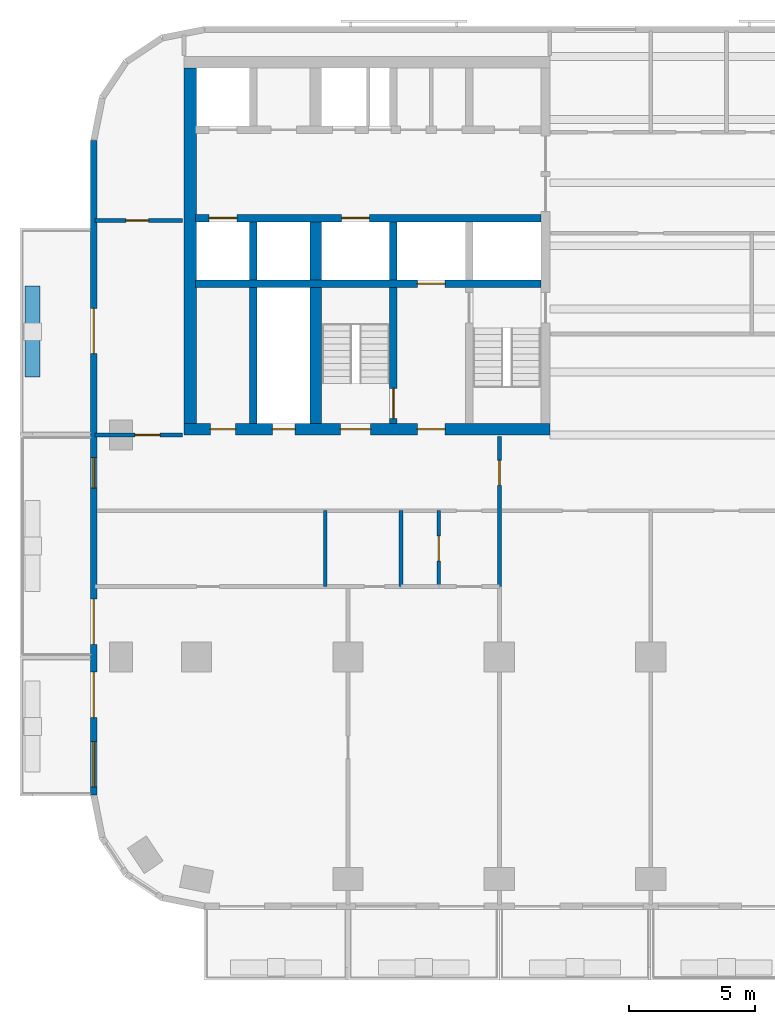
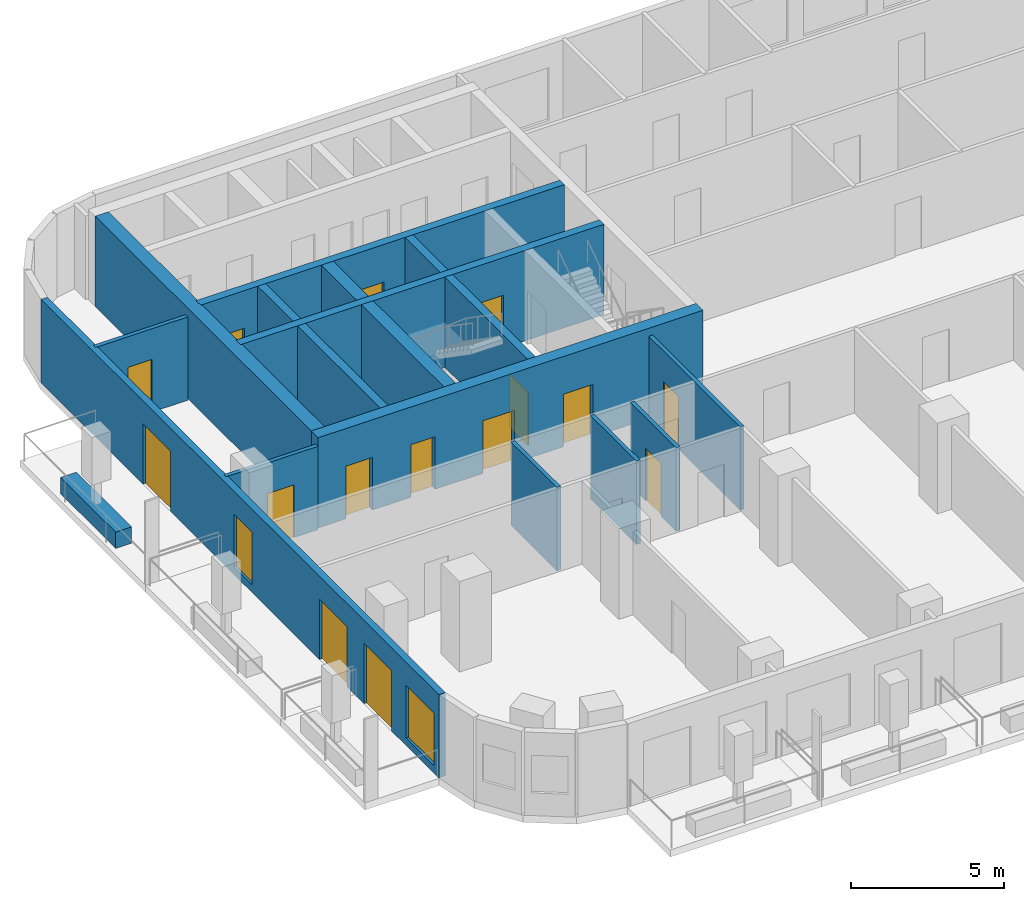
# One storey, part 3 of 11: 18 walls, 15 doors, 2 windows, 17 openings.
"""IFC4 building model written with IfcOpenShell, lengths in metres."""

from ifc_helpers import new_model, si_unit, direction, frame, frame_2d, origin, place, context, subcontext, project, spatial, rectangle, extrude, material, layer, layer_set, type_object, element, fill, save


model = new_model("IFC4")

# Units and contexts
model_context = context("Model", 3, precision=1e-05, world=origin(), true_north=direction((0.0, 1.0)))
body_context = subcontext(model_context, "Body", "Model", "MODEL_VIEW")
ifc_project = project(units=[si_unit("LENGTHUNIT", "METRE"), si_unit("AREAUNIT", "SQUARE_METRE"), si_unit("VOLUMEUNIT", "CUBIC_METRE"), si_unit("PLANEANGLEUNIT", "RADIAN"), si_unit("MASSUNIT", "GRAM", prefix="KILO")], contexts=[model_context])

# Site, building, storey
site_placement = place(None, origin())
site = spatial("IfcSite", under=ifc_project, at=site_placement, CompositionType="ELEMENT")
building_placement = place(site_placement, origin())
building = spatial("IfcBuilding", under=site, at=building_placement, Name="Torana Hotel and Residences", CompositionType="ELEMENT")
storey_placement = place(building_placement, frame((0.0, 0.0, 163.199951171875)))
storey = spatial("IfcBuildingStorey", under=building, at=storey_placement, Name="L42", CompositionType="ELEMENT", Elevation=163.199951171875)

# Wall, openings, doors
ifc_material_1 = material(Name="Concrete C70/85", Category="concrete")
ifc_layer_1 = layer(ifc_material_1, 0.300048828125)
ifc_layer_set_1 = layer_set([ifc_layer_1], Name="CORE WALL 300 C70/85")
wall_type_1 = type_object("IfcWallType", Name="CORE WALL 300 C70/85", PredefinedType="SHEAR", material=ifc_layer_set_1)
wall_1_placement = place(storey_placement, frame((-24.050048828125, -6.39990234375, 0.0), z_axis=(0.0, 0.0, 1.0), x_axis=(1.0, 0.0, 0.0)))
wall_1 = element("IfcWall", 1, at=wall_1_placement, inside=storey, type_object=wall_type_1, Name="Core wall W row-S", PredefinedType="SHEAR", context=body_context, shape_type="SweptSolid", body=[
    extrude(rectangle(XDim=13.699951171875, YDim=0.300048828125, at=frame_2d((6.85009765625, 0.0))), origin(), (0.0, 0.0, 1.0), 3.60009765625),
])
opening_1_placement = place(wall_1_placement, frame((0.550048828125, 0.0, 0.0)))
opening_1 = element("IfcOpeningElement", 2, at=opening_1_placement, cuts=wall_1, Name="Opening LD", PredefinedType="OPENING", context=body_context, shape_type="SweptSolid", body=[
    extrude(rectangle(XDim=1.10009765625, YDim=2.10009765625, at=frame_2d((0.550048828125, 1.050048828125))), frame((0.0, 0.159912109375, 0.0), z_axis=(0.0, -1.0, 0.0), x_axis=(1.0, 0.0, 0.0)), (0.0, 0.0, 1.0), 0.320068359375),
])
opening_2_placement = place(wall_1_placement, frame((5.800048828125, 0.0, 0.0)))
opening_2 = element("IfcOpeningElement", 3, at=opening_2_placement, cuts=wall_1, Name="Opening LD", PredefinedType="OPENING", context=body_context, shape_type="SweptSolid", body=[
    extrude(rectangle(XDim=1.10009765625, YDim=2.10009765625, at=frame_2d((0.550048828125, 1.050048828125))), frame((0.0, 0.159912109375, 0.0), z_axis=(0.0, -1.0, 0.0), x_axis=(1.0, 0.0, 0.0)), (0.0, 0.0, 1.0), 0.320068359375),
])
ifc_material_2 = material(Name="Stainless steel 316", Category="steel")
door_type_1 = type_object("IfcDoorType", Name="LIFT LANDING DOOR LD 1100x2100", OperationType="DOUBLE_DOOR_SLIDING", PredefinedType="USERDEFINED", material=ifc_material_2)
door_1_placement = place(opening_1_placement, origin())
door_1 = element("IfcDoor", 4, at=door_1_placement, inside=storey, type_object=door_type_1, Name="Lift landing door M2 L42", ObjectType="LIFT LANDING DOOR", OperationType="DOUBLE_DOOR_SLIDING", OverallHeight=2.10009765625, OverallWidth=1.10009765625, PredefinedType="USERDEFINED", context=body_context, shape_type="SweptSolid", body=[
    extrude(rectangle(XDim=1.10009765625, YDim=2.10009765625, at=frame_2d((0.550048828125, 1.050048828125))), frame((0.0, 0.02490234375, 0.0), z_axis=(0.0, -1.0, 0.0), x_axis=(1.0, 0.0, 0.0)), (0.0, 0.0, 1.0), 0.050048828125),
])
fill(opening_1, door_1)
door_2_placement = place(opening_2_placement, origin())
door_2 = element("IfcDoor", 5, at=door_2_placement, inside=storey, type_object=door_type_1, Name="Lift landing door SV1 L42", ObjectType="LIFT LANDING DOOR", OperationType="DOUBLE_DOOR_SLIDING", OverallHeight=2.10009765625, OverallWidth=1.10009765625, PredefinedType="USERDEFINED", context=body_context, shape_type="SweptSolid", body=[
    extrude(rectangle(XDim=1.10009765625, YDim=2.10009765625, at=frame_2d((0.550048828125, 1.050048828125))), frame((0.0, 0.02490234375, 0.0), z_axis=(0.0, -1.0, 0.0), x_axis=(1.0, 0.0, 0.0)), (0.0, 0.0, 1.0), 0.050048828125),
])
fill(opening_2, door_2)

# Wall, opening, door
wall_2_placement = place(storey_placement, frame((-24.050048828125, -9.0, 0.0), z_axis=(0.0, 0.0, 1.0), x_axis=(1.0, 0.0, 0.0)))
wall_2 = element("IfcWall", 6, at=wall_2_placement, inside=storey, type_object=wall_type_1, Name="Core wall W band", PredefinedType="SHEAR", context=body_context, shape_type="SweptSolid", body=[
    extrude(rectangle(XDim=13.699951171875, YDim=0.300048828125, at=frame_2d((6.85009765625, 0.0))), origin(), (0.0, 0.0, 1.0), 3.60009765625),
])
opening_3_placement = place(wall_2_placement, frame((8.800048828125, 0.0, 0.0)))
opening_3 = element("IfcOpeningElement", 7, at=opening_3_placement, cuts=wall_2, Name="Opening LD", PredefinedType="OPENING", context=body_context, shape_type="SweptSolid", body=[
    extrude(rectangle(XDim=1.10009765625, YDim=2.10009765625, at=frame_2d((0.550048828125, 1.050048828125))), frame((0.0, 0.159912109375, 0.0), z_axis=(0.0, -1.0, 0.0), x_axis=(1.0, 0.0, 0.0)), (0.0, 0.0, 1.0), 0.320068359375),
])
door_3_placement = place(opening_3_placement, origin())
door_3 = element("IfcDoor", 8, at=door_3_placement, inside=storey, type_object=door_type_1, Name="Lift landing door FF1 L42", ObjectType="LIFT LANDING DOOR", OperationType="DOUBLE_DOOR_SLIDING", OverallHeight=2.10009765625, OverallWidth=1.10009765625, PredefinedType="USERDEFINED", context=body_context, shape_type="SweptSolid", body=[
    extrude(rectangle(XDim=1.10009765625, YDim=2.10009765625, at=frame_2d((0.550048828125, 1.050048828125))), frame((0.0, 0.02490234375, 0.0), z_axis=(0.0, -1.0, 0.0), x_axis=(1.0, 0.0, 0.0)), (0.0, 0.0, 1.0), 0.050048828125),
])
fill(opening_3, door_3)

# Wall
wall_3_placement = place(storey_placement, frame((-16.199951171875, -8.85009765625, 0.0), z_axis=(0.0, 0.0, 1.0), x_axis=(0.0, 1.0, 0.0)))
element("IfcWall", 9, at=wall_3_placement, inside=storey, type_object=wall_type_1, Name="Core wall W x6.05-S", PredefinedType="SHEAR", context=body_context, shape_type="SweptSolid", body=[
    extrude(rectangle(XDim=2.300048828125, YDim=0.300048828125, at=frame_2d((1.14990234375, 0.0))), origin(), (0.0, 0.0, 1.0), 3.60009765625),
])

# Wall, opening, door
wall_4_placement = place(storey_placement, frame((-16.199951171875, -14.550048828125, 0.0), z_axis=(0.0, 0.0, 1.0), x_axis=(0.0, 1.0, 0.0)))
wall_4 = element("IfcWall", 10, at=wall_4_placement, inside=storey, type_object=wall_type_1, Name="Core wall W x6.05-band", PredefinedType="SHEAR", context=body_context, shape_type="SweptSolid", body=[
    extrude(rectangle(XDim=5.400146484375, YDim=0.300048828125, at=frame_2d((2.7001953125, 0.0))), origin(), (0.0, 0.0, 1.0), 3.60009765625),
])
opening_4_placement = place(wall_4_placement, frame((0.199951171875, 0.0, 0.0)))
opening_4 = element("IfcOpeningElement", 11, at=opening_4_placement, cuts=wall_4, Name="Opening L42-15", PredefinedType="OPENING", context=body_context, shape_type="SweptSolid", body=[
    extrude(rectangle(XDim=1.199951171875, YDim=2.10009765625, at=frame_2d((0.60009765625, 1.050048828125))), frame((0.0, 0.159912109375, 0.0), z_axis=(0.0, -1.0, 0.0), x_axis=(1.0, 0.0, 0.0)), (0.0, 0.0, 1.0), 0.320068359375),
])
ifc_material_3 = material(Name="Steel S235", Category="steel")
door_type_2 = type_object("IfcDoorType", Name="STAIR FIRE DOOR D3 1200x2100", OperationType="SINGLE_SWING_LEFT", PredefinedType="DOOR", material=ifc_material_3)
door_4_placement = place(opening_4_placement, origin())
door_4 = element("IfcDoor", 12, at=door_4_placement, inside=storey, type_object=door_type_2, Name="Stair-B-lobby door L42", OperationType="SINGLE_SWING_RIGHT", OverallHeight=2.10009765625, OverallWidth=1.199951171875, PredefinedType="DOOR", context=body_context, shape_type="SweptSolid", body=[
    extrude(rectangle(XDim=1.199951171875, YDim=2.10009765625, at=frame_2d((0.60009765625, 1.050048828125))), frame((0.0, 0.02490234375, 0.0), z_axis=(0.0, -1.0, 0.0), x_axis=(1.0, 0.0, 0.0)), (0.0, 0.0, 1.0), 0.050048828125),
])
fill(opening_4, door_4)

# Walls
wall_5_placement = place(storey_placement, frame((-21.75, -8.85009765625, 0.0), z_axis=(0.0, 0.0, 1.0), x_axis=(0.0, 1.0, 0.0)))
element("IfcWall", 13, at=wall_5_placement, inside=storey, type_object=wall_type_1, Name="Core wall W mm-S", PredefinedType="SHEAR", context=body_context, shape_type="SweptSolid", body=[
    extrude(rectangle(XDim=2.300048828125, YDim=0.300048828125, at=frame_2d((1.14990234375, 0.0))), origin(), (0.0, 0.0, 1.0), 3.60009765625),
])
wall_6_placement = place(storey_placement, frame((-21.75, -14.550048828125, 0.0), z_axis=(0.0, 0.0, 1.0), x_axis=(0.0, 1.0, 0.0)))
element("IfcWall", 14, at=wall_6_placement, inside=storey, type_object=wall_type_1, Name="Core wall W mm-band", PredefinedType="SHEAR", context=body_context, shape_type="SweptSolid", body=[
    extrude(rectangle(XDim=5.400146484375, YDim=0.300048828125, at=frame_2d((2.7001953125, 0.0))), origin(), (0.0, 0.0, 1.0), 3.60009765625),
])

# Wall, openings, doors
ifc_material_4 = material(Name="Concrete C70/85", Category="concrete")
ifc_layer_2 = layer(ifc_material_4, 0.449951171875)
ifc_layer_set_2 = layer_set([ifc_layer_2], Name="CORE WALL 450 C70/85")
wall_type_2 = type_object("IfcWallType", Name="CORE WALL 450 C70/85", PredefinedType="SHEAR", material=ifc_layer_set_2)
wall_7_placement = place(storey_placement, frame((-24.5, -14.77490234375, 0.0), z_axis=(0.0, 0.0, 1.0), x_axis=(1.0, 0.0, 0.0)))
wall_7 = element("IfcWall", 15, at=wall_7_placement, inside=storey, type_object=wall_type_2, Name="Core wall W front", PredefinedType="SHEAR", context=body_context, shape_type="SweptSolid", body=[
    extrude(rectangle(XDim=14.5, YDim=0.449951171875, at=frame_2d((7.25, 0.0))), origin(), (0.0, 0.0, 1.0), 3.60009765625),
])
opening_5_placement = place(wall_7_placement, frame((6.199951171875, 0.0, 0.0)))
opening_5 = element("IfcOpeningElement", 16, at=opening_5_placement, cuts=wall_7, Name="Opening L42-04", PredefinedType="OPENING", context=body_context, shape_type="SweptSolid", body=[
    extrude(rectangle(XDim=1.199951171875, YDim=2.10009765625, at=frame_2d((0.60009765625, 1.050048828125))), frame((0.0, 0.23486328125, 0.0), z_axis=(0.0, -1.0, 0.0), x_axis=(1.0, 0.0, 0.0)), (0.0, 0.0, 1.0), 0.469970703125),
])
opening_6_placement = place(wall_7_placement, frame((9.25, 0.0, 0.0)))
opening_6 = element("IfcOpeningElement", 17, at=opening_6_placement, cuts=wall_7, Name="Opening L42-05", PredefinedType="OPENING", context=body_context, shape_type="SweptSolid", body=[
    extrude(rectangle(XDim=1.10009765625, YDim=2.10009765625, at=frame_2d((0.550048828125, 1.050048828125))), frame((0.0, 0.23486328125, 0.0), z_axis=(0.0, -1.0, 0.0), x_axis=(1.0, 0.0, 0.0)), (0.0, 0.0, 1.0), 0.469970703125),
])
opening_7_placement = place(wall_7_placement, frame((3.5, 0.0, 0.0)))
opening_7 = element("IfcOpeningElement", 18, at=opening_7_placement, cuts=wall_7, Name="Opening L42-06", PredefinedType="OPENING", context=body_context, shape_type="SweptSolid", body=[
    extrude(rectangle(XDim=0.89990234375, YDim=2.10009765625, at=frame_2d((0.449951171875, 1.050048828125))), frame((0.0, 0.23486328125, 0.0), z_axis=(0.0, -1.0, 0.0), x_axis=(1.0, 0.0, 0.0)), (0.0, 0.0, 1.0), 0.469970703125),
])
opening_8_placement = place(wall_7_placement, frame((1.050048828125, 0.0, 0.0)))
opening_8 = element("IfcOpeningElement", 19, at=opening_8_placement, cuts=wall_7, Name="Opening L42-07", PredefinedType="OPENING", context=body_context, shape_type="SweptSolid", body=[
    extrude(rectangle(XDim=1.0, YDim=2.10009765625, at=frame_2d((0.5, 1.050048828125))), frame((0.0, 0.23486328125, 0.0), z_axis=(0.0, -1.0, 0.0), x_axis=(1.0, 0.0, 0.0)), (0.0, 0.0, 1.0), 0.469970703125),
])
ifc_material_5 = material(Name="Steel S235", Category="steel")
door_type_3 = type_object("IfcDoorType", Name="CORE ROOM FIRE DOOR D14 1000x2100", OperationType="SINGLE_SWING_LEFT", PredefinedType="DOOR", material=ifc_material_5)
door_5_placement = place(opening_8_placement, origin())
door_5 = element("IfcDoor", 20, at=door_5_placement, inside=storey, type_object=door_type_3, Name="M-Room door L42", OperationType="SINGLE_SWING_RIGHT", OverallHeight=2.10009765625, OverallWidth=1.0, PredefinedType="DOOR", context=body_context, shape_type="SweptSolid", body=[
    extrude(rectangle(XDim=1.0, YDim=2.10009765625, at=frame_2d((0.5, 1.050048828125))), frame((0.0, 0.02490234375, 0.0), z_axis=(0.0, -1.0, 0.0), x_axis=(1.0, 0.0, 0.0)), (0.0, 0.0, 1.0), 0.050048828125),
])
fill(opening_8, door_5)
ifc_material_6 = material(Name="Steel S235", Category="steel")
door_type_4 = type_object("IfcDoorType", Name="FIRE-FIGHTING LOBBY DOOR D8 1100x2100", OperationType="SINGLE_SWING_LEFT", PredefinedType="DOOR", material=ifc_material_6)
door_6_placement = place(opening_6_placement, origin())
door_6 = element("IfcDoor", 21, at=door_6_placement, inside=storey, type_object=door_type_4, Name="FF-lobby door L42", OperationType="SINGLE_SWING_RIGHT", OverallHeight=2.10009765625, OverallWidth=1.10009765625, PredefinedType="DOOR", context=body_context, shape_type="SweptSolid", body=[
    extrude(rectangle(XDim=1.10009765625, YDim=2.10009765625, at=frame_2d((0.550048828125, 1.050048828125))), frame((0.0, 0.02490234375, 0.0), z_axis=(0.0, -1.0, 0.0), x_axis=(1.0, 0.0, 0.0)), (0.0, 0.0, 1.0), 0.050048828125),
])
fill(opening_6, door_6)
ifc_material_7 = material(Name="Steel S235", Category="steel")
door_type_5 = type_object("IfcDoorType", Name="RISER ACCESS DOOR D5 900x2100", OperationType="SINGLE_SWING_LEFT", PredefinedType="DOOR", material=ifc_material_7)
door_7_placement = place(opening_7_placement, origin())
door_7 = element("IfcDoor", 22, at=door_7_placement, inside=storey, type_object=door_type_5, Name="M-Riser door L42", OperationType="SINGLE_SWING_RIGHT", OverallHeight=2.10009765625, OverallWidth=0.89990234375, PredefinedType="DOOR", context=body_context, shape_type="SweptSolid", body=[
    extrude(rectangle(XDim=0.89990234375, YDim=2.10009765625, at=frame_2d((0.449951171875, 1.050048828125))), frame((0.0, 0.02490234375, 0.0), z_axis=(0.0, -1.0, 0.0), x_axis=(1.0, 0.0, 0.0)), (0.0, 0.0, 1.0), 0.050048828125),
])
fill(opening_7, door_7)
door_8_placement = place(opening_5_placement, origin())
door_8 = element("IfcDoor", 23, at=door_8_placement, inside=storey, type_object=door_type_2, Name="Stair-B door L42", OperationType="SINGLE_SWING_RIGHT", OverallHeight=2.10009765625, OverallWidth=1.199951171875, PredefinedType="DOOR", context=body_context, shape_type="SweptSolid", body=[
    extrude(rectangle(XDim=1.199951171875, YDim=2.10009765625, at=frame_2d((0.60009765625, 1.050048828125))), frame((0.0, 0.02490234375, 0.0), z_axis=(0.0, -1.0, 0.0), x_axis=(1.0, 0.0, 0.0)), (0.0, 0.0, 1.0), 0.050048828125),
])
fill(opening_5, door_8)

# Walls
wall_8_placement = place(storey_placement, frame((-19.27490234375, -8.85009765625, 0.0), z_axis=(0.0, 0.0, 1.0), x_axis=(0.0, 1.0, 0.0)))
element("IfcWall", 24, at=wall_8_placement, inside=storey, type_object=wall_type_2, Name="Core wall W hm-S", PredefinedType="SHEAR", context=body_context, shape_type="SweptSolid", body=[
    extrude(rectangle(XDim=2.300048828125, YDim=0.449951171875, at=frame_2d((1.14990234375, 0.0))), origin(), (0.0, 0.0, 1.0), 3.60009765625),
])
wall_9_placement = place(storey_placement, frame((-19.27490234375, -14.550048828125, 0.0), z_axis=(0.0, 0.0, 1.0), x_axis=(0.0, 1.0, 0.0)))
element("IfcWall", 25, at=wall_9_placement, inside=storey, type_object=wall_type_2, Name="Core wall W hm-band", PredefinedType="SHEAR", context=body_context, shape_type="SweptSolid", body=[
    extrude(rectangle(XDim=5.400146484375, YDim=0.449951171875, at=frame_2d((2.7001953125, 0.0))), origin(), (0.0, 0.0, 1.0), 3.60009765625),
])
ifc_material_8 = material(Name="Concrete C70/85", Category="concrete")
ifc_layer_3 = layer(ifc_material_8, 0.5)
ifc_layer_set_3 = layer_set([ifc_layer_3], Name="CORE WALL 500 C70/85")
wall_type_3 = type_object("IfcWallType", Name="CORE WALL 500 C70/85", PredefinedType="SHEAR", material=ifc_layer_set_3)
wall_10_placement = place(storey_placement, frame((-24.25, -14.550048828125, 0.0), z_axis=(0.0, 0.0, 1.0), x_axis=(0.0, 1.0, 0.0)))
element("IfcWall", 26, at=wall_10_placement, inside=storey, type_object=wall_type_3, Name="Core wall W outer", PredefinedType="SHEAR", context=body_context, shape_type="SweptSolid", body=[
    extrude(rectangle(XDim=14.10009765625, YDim=0.5, at=frame_2d((7.050048828125, 0.0))), origin(), (0.0, 0.0, 1.0), 3.60009765625),
])

# Wall, openings, doors, windows
ifc_material_9 = material(Name="Black aluminium composite panel", Category="aluminium")
ifc_layer_4 = layer(ifc_material_9, 0.00390625, Name="Cladding", Category="cladding")
ifc_material_10 = material(Name="Ventilated air cavity")
ifc_layer_5 = layer(ifc_material_10, 0.0400390625, Name="Ventilated cavity", Category="cavity")
ifc_material_11 = material(Name="Mineral wool insulation")
ifc_layer_6 = layer(ifc_material_11, 0.090087890625, Name="Insulation", Category="insulation")
ifc_material_12 = material(Name="Steel S280GD", Category="steel")
ifc_layer_7 = layer(ifc_material_12, 0.092041015625, Name="Steel stud frame", Category="structure")
ifc_material_13 = material(Name="Fire rated plasterboard")
ifc_layer_8 = layer(ifc_material_13, 0.011962890625, Name="Inner board", Category="finish")
ifc_layer_9 = layer(ifc_material_13, 0.011962890625, Name="Second board", Category="finish")
ifc_layer_set_4 = layer_set([ifc_layer_4, ifc_layer_5, ifc_layer_6, ifc_layer_7, ifc_layer_8, ifc_layer_9], Name="EW1 EXTERNAL WALL BLACK METAL CLAD 250")
wall_type_4 = type_object("IfcWallType", Name="EW1 EXTERNAL WALL BLACK METAL CLAD 250", PredefinedType="SOLIDWALL", material=ifc_layer_set_4)
wall_11_placement = place(storey_placement, frame((-28.074951171875, -3.32470703125, 0.0), z_axis=(0.0, 0.0, 1.0), x_axis=(0.0, -1.0, 0.0)))
wall_11 = element("IfcWall", 27, at=wall_11_placement, inside=storey, type_object=wall_type_4, Name="External wall L42 e0.9", PredefinedType="SOLIDWALL", context=body_context, shape_type="SweptSolid", body=[
    extrude(rectangle(XDim=25.95068359375, YDim=0.25, at=frame_2d((12.975341796875, 0.0))), origin(), (0.0, 0.0, 1.0), 3.320068359375),
])
opening_9_placement = place(wall_11_placement, frame((6.650390625, 0.0, 0.0)))
opening_9 = element("IfcOpeningElement", 28, at=opening_9_placement, cuts=wall_11, Name="Opening L42-E12", PredefinedType="OPENING", context=body_context, shape_type="SweptSolid", body=[
    extrude(rectangle(XDim=1.800048828125, YDim=2.39990234375, at=frame_2d((0.89990234375, 1.199951171875))), frame((0.0, 0.135009765625, 0.0), z_axis=(0.0, -1.0, 0.0), x_axis=(1.0, 0.0, 0.0)), (0.0, 0.0, 1.0), 0.27001953125),
])
opening_10_placement = place(wall_11_placement, frame((12.575439453125, 0.0, 0.300048828125)))
opening_10 = element("IfcOpeningElement", 29, at=opening_10_placement, cuts=wall_11, Name="Opening W7", PredefinedType="OPENING", context=body_context, shape_type="SweptSolid", body=[
    extrude(rectangle(XDim=1.199951171875, YDim=2.10009765625, at=frame_2d((0.60009765625, 1.050048828125))), frame((0.0, 0.135009765625, 0.0), z_axis=(0.0, -1.0, 0.0), x_axis=(1.0, 0.0, 0.0)), (0.0, 0.0, 1.0), 0.27001953125),
])
opening_11_placement = place(wall_11_placement, frame((18.17529296875, 0.0, 0.0)))
opening_11 = element("IfcOpeningElement", 30, at=opening_11_placement, cuts=wall_11, Name="Opening L42-E13", PredefinedType="OPENING", context=body_context, shape_type="SweptSolid", body=[
    extrude(rectangle(XDim=1.800048828125, YDim=2.39990234375, at=frame_2d((0.89990234375, 1.199951171875))), frame((0.0, 0.135009765625, 0.0), z_axis=(0.0, -1.0, 0.0), x_axis=(1.0, 0.0, 0.0)), (0.0, 0.0, 1.0), 0.27001953125),
])
opening_12_placement = place(wall_11_placement, frame((21.075439453125, 0.0, 0.0)))
opening_12 = element("IfcOpeningElement", 31, at=opening_12_placement, cuts=wall_11, Name="Opening L42-E14", PredefinedType="OPENING", context=body_context, shape_type="SweptSolid", body=[
    extrude(rectangle(XDim=1.800048828125, YDim=2.39990234375, at=frame_2d((0.89990234375, 1.199951171875))), frame((0.0, 0.135009765625, 0.0), z_axis=(0.0, -1.0, 0.0), x_axis=(1.0, 0.0, 0.0)), (0.0, 0.0, 1.0), 0.27001953125),
])
opening_13_placement = place(wall_11_placement, frame((23.825439453125, 0.0, 0.300048828125)))
opening_13 = element("IfcOpeningElement", 32, at=opening_13_placement, cuts=wall_11, Name="Opening W2", PredefinedType="OPENING", context=body_context, shape_type="SweptSolid", body=[
    extrude(rectangle(XDim=1.800048828125, YDim=2.10009765625, at=frame_2d((0.89990234375, 1.050048828125))), frame((0.0, 0.135009765625, 0.0), z_axis=(0.0, -1.0, 0.0), x_axis=(1.0, 0.0, 0.0)), (0.0, 0.0, 1.0), 0.27001953125),
])
ifc_material_14 = material(Name="Dark glass in black aluminium frame", Category="aluminium")
door_type_6 = type_object("IfcDoorType", Name="DB1 BALCONY DOOR 1800x2400", OperationType="DOUBLE_DOOR_SINGLE_SWING", PredefinedType="DOOR", material=ifc_material_14)
door_9_placement = place(opening_9_placement, origin())
door_9 = element("IfcDoor", 33, at=door_9_placement, inside=storey, type_object=door_type_6, Name="Balcony door L42", OperationType="DOUBLE_DOOR_SINGLE_SWING", OverallHeight=2.39990234375, OverallWidth=1.800048828125, PredefinedType="DOOR", context=body_context, shape_type="SweptSolid", body=[
    extrude(rectangle(XDim=1.800048828125, YDim=2.39990234375, at=frame_2d((0.89990234375, 1.199951171875))), frame((0.0, 0.02490234375, 0.0), z_axis=(0.0, -1.0, 0.0), x_axis=(1.0, 0.0, 0.0)), (0.0, 0.0, 1.0), 0.050048828125),
])
fill(opening_9, door_9)
door_10_placement = place(opening_11_placement, frame((0.89990234375, 0.0, 0.0), z_axis=(0.0, 0.0, 1.0), x_axis=(-1.0, 0.0, 0.0)))
door_10 = element("IfcDoor", 34, at=door_10_placement, inside=storey, type_object=door_type_6, Name="Balcony door L42", OperationType="DOUBLE_DOOR_SINGLE_SWING", OverallHeight=2.39990234375, OverallWidth=1.800048828125, PredefinedType="DOOR", context=body_context, shape_type="SweptSolid", body=[
    extrude(rectangle(XDim=1.800048828125, YDim=2.39990234375, at=frame_2d((0.0, 1.199951171875))), frame((0.0, -0.02490234375, 0.0), z_axis=(0.0, 1.0, 0.0), x_axis=(-1.0, 0.0, 0.0)), (0.0, 0.0, 1.0), 0.050048828125),
])
fill(opening_11, door_10)
door_11_placement = place(opening_12_placement, origin())
door_11 = element("IfcDoor", 35, at=door_11_placement, inside=storey, type_object=door_type_6, Name="Balcony door L42", OperationType="DOUBLE_DOOR_SINGLE_SWING", OverallHeight=2.39990234375, OverallWidth=1.800048828125, PredefinedType="DOOR", context=body_context, shape_type="SweptSolid", body=[
    extrude(rectangle(XDim=1.800048828125, YDim=2.39990234375, at=frame_2d((0.89990234375, 1.199951171875))), frame((0.0, 0.02490234375, 0.0), z_axis=(0.0, -1.0, 0.0), x_axis=(1.0, 0.0, 0.0)), (0.0, 0.0, 1.0), 0.050048828125),
])
fill(opening_12, door_11)
ifc_material_15 = material(Name="Dark glass in black aluminium frame", Category="aluminium")
window_type_1 = type_object("IfcWindowType", Name="W2 HOTEL ROOM WINDOW NARROW 1800x2100", PartitioningType="SINGLE_PANEL", PredefinedType="WINDOW", material=ifc_material_15)
window_1_placement = place(opening_13_placement, origin())
window_1 = element("IfcWindow", 36, at=window_1_placement, inside=storey, type_object=window_type_1, Name="Window L42", OverallHeight=2.10009765625, OverallWidth=1.800048828125, PartitioningType="SINGLE_PANEL", PredefinedType="WINDOW", context=body_context, shape_type="SweptSolid", body=[
    extrude(rectangle(XDim=1.800048828125, YDim=2.10009765625, at=frame_2d((0.89990234375, 1.050048828125))), frame((0.0, 0.030029296875, 0.0), z_axis=(0.0, -1.0, 0.0), x_axis=(1.0, 0.0, 0.0)), (0.0, 0.0, 1.0), 0.06005859375),
])
fill(opening_13, window_1)
ifc_material_16 = material(Name="Dark glass in black aluminium frame", Category="aluminium")
window_type_2 = type_object("IfcWindowType", Name="W7 HOTEL CORRIDOR WINDOW 1200x2100", PartitioningType="SINGLE_PANEL", PredefinedType="WINDOW", material=ifc_material_16)
window_2_placement = place(opening_10_placement, origin())
window_2 = element("IfcWindow", 37, at=window_2_placement, inside=storey, type_object=window_type_2, Name="Window L42", OverallHeight=2.10009765625, OverallWidth=1.199951171875, PartitioningType="SINGLE_PANEL", PredefinedType="WINDOW", context=body_context, shape_type="SweptSolid", body=[
    extrude(rectangle(XDim=1.199951171875, YDim=2.10009765625, at=frame_2d((0.60009765625, 1.050048828125))), frame((0.0, 0.030029296875, 0.0), z_axis=(0.0, -1.0, 0.0), x_axis=(1.0, 0.0, 0.0)), (0.0, 0.0, 1.0), 0.06005859375),
])
fill(opening_10, window_2)

# Wall, opening, door
ifc_material_17 = material(Name="Gypsum plaster")
ifc_layer_10 = layer(ifc_material_17, 0.014892578125, Name="Plaster", Category="finish")
ifc_material_18 = material(Name="Concrete blockwork", Category="masonry")
ifc_layer_11 = layer(ifc_material_18, 0.1201171875, Name="Blockwork", Category="structure")
ifc_layer_12 = layer(ifc_material_17, 0.014892578125, Name="Plaster", Category="finish")
ifc_layer_set_5 = layer_set([ifc_layer_10, ifc_layer_11, ifc_layer_12], Name="FIRE PARTITION 150 BLOCKWORK")
wall_type_5 = type_object("IfcWallType", Name="FIRE PARTITION 150 BLOCKWORK", PredefinedType="PARTITIONING", material=ifc_layer_set_5)
wall_12_placement = place(storey_placement, frame((-12.0, -21.0, 0.0), z_axis=(0.0, 0.0, 1.0), x_axis=(0.0, 1.0, 0.0)))
wall_12 = element("IfcWall", 38, at=wall_12_placement, inside=storey, type_object=wall_type_5, Name="Partition L42", PredefinedType="PARTITIONING", context=body_context, shape_type="SweptSolid", body=[
    extrude(rectangle(XDim=5.949951171875, YDim=0.14990234375, at=frame_2d((2.97509765625, 0.0))), origin(), (0.0, 0.0, 1.0), 3.320068359375),
])
opening_14_placement = place(wall_12_placement, frame((4.0, 0.0, 0.0)))
opening_14 = element("IfcOpeningElement", 39, at=opening_14_placement, cuts=wall_12, Name="Opening L42-31", PredefinedType="OPENING", context=body_context, shape_type="SweptSolid", body=[
    extrude(rectangle(XDim=1.0, YDim=2.10009765625, at=frame_2d((0.5, 1.050048828125))), frame((0.0, 0.0849609375, 0.0), z_axis=(0.0, -1.0, 0.0), x_axis=(1.0, 0.0, 0.0)), (0.0, 0.0, 1.0), 0.169921875),
])
ifc_material_19 = material(Name="Steel S235", Category="steel")
door_type_7 = type_object("IfcDoorType", Name="ENTRY FIRE DOOR D6 1000x2100", OperationType="SINGLE_SWING_LEFT", PredefinedType="DOOR", material=ifc_material_19)
door_12_placement = place(opening_14_placement, origin())
door_12 = element("IfcDoor", 40, at=door_12_placement, inside=storey, type_object=door_type_7, Name="Door L42", OperationType="SINGLE_SWING_RIGHT", OverallHeight=2.10009765625, OverallWidth=1.0, PredefinedType="DOOR", context=body_context, shape_type="SweptSolid", body=[
    extrude(rectangle(XDim=1.0, YDim=2.10009765625, at=frame_2d((0.5, 1.050048828125))), frame((0.0, 0.02490234375, 0.0), z_axis=(0.0, -1.0, 0.0), x_axis=(1.0, 0.0, 0.0)), (0.0, 0.0, 1.0), 0.050048828125),
])
fill(opening_14, door_12)

wall_13_placement = place(storey_placement, frame((-14.39990234375, -21.0, 0.0), z_axis=(0.0, 0.0, 1.0), x_axis=(0.0, 1.0, 0.0)))
wall_13 = element("IfcWall", 41, at=wall_13_placement, inside=storey, type_object=wall_type_5, Name="Partition L42", PredefinedType="PARTITIONING", context=body_context, shape_type="SweptSolid", body=[
    extrude(rectangle(XDim=3.0, YDim=0.14990234375, at=frame_2d((1.5, 0.0))), origin(), (0.0, 0.0, 1.0), 3.320068359375),
])
opening_15_placement = place(wall_13_placement, frame((1.0, 0.0, 0.0)))
opening_15 = element("IfcOpeningElement", 42, at=opening_15_placement, cuts=wall_13, Name="Opening L42-53", PredefinedType="OPENING", context=body_context, shape_type="SweptSolid", body=[
    extrude(rectangle(XDim=1.0, YDim=2.10009765625, at=frame_2d((0.5, 1.050048828125))), frame((0.0, 0.0849609375, 0.0), z_axis=(0.0, -1.0, 0.0), x_axis=(1.0, 0.0, 0.0)), (0.0, 0.0, 1.0), 0.169921875),
])
door_13_placement = place(opening_15_placement, origin())
door_13 = element("IfcDoor", 43, at=door_13_placement, inside=storey, type_object=door_type_7, Name="Door L42", OperationType="SINGLE_SWING_RIGHT", OverallHeight=2.10009765625, OverallWidth=1.0, PredefinedType="DOOR", context=body_context, shape_type="SweptSolid", body=[
    extrude(rectangle(XDim=1.0, YDim=2.10009765625, at=frame_2d((0.5, 1.050048828125))), frame((0.0, 0.02490234375, 0.0), z_axis=(0.0, -1.0, 0.0), x_axis=(1.0, 0.0, 0.0)), (0.0, 0.0, 1.0), 0.050048828125),
])
fill(opening_15, door_13)

wall_14_placement = place(storey_placement, frame((-28.02001953125, -15.0, 0.0), z_axis=(0.0, 0.0, 1.0), x_axis=(1.0, 0.0, 0.0)))
wall_14 = element("IfcWall", 44, at=wall_14_placement, inside=storey, type_object=wall_type_5, Name="Partition L42", PredefinedType="PARTITIONING", context=body_context, shape_type="SweptSolid", body=[
    extrude(rectangle(XDim=3.469970703125, YDim=0.14990234375, at=frame_2d((1.73486328125, 0.0))), origin(), (0.0, 0.0, 1.0), 3.320068359375),
])
opening_16_placement = place(wall_14_placement, frame((1.570068359375, 0.0, 0.0)))
opening_16 = element("IfcOpeningElement", 45, at=opening_16_placement, cuts=wall_14, Name="Opening L42-33", PredefinedType="OPENING", context=body_context, shape_type="SweptSolid", body=[
    extrude(rectangle(XDim=1.0, YDim=2.10009765625, at=frame_2d((0.5, 1.050048828125))), frame((0.0, 0.0849609375, 0.0), z_axis=(0.0, -1.0, 0.0), x_axis=(1.0, 0.0, 0.0)), (0.0, 0.0, 1.0), 0.169921875),
])
door_14_placement = place(opening_16_placement, origin())
door_14 = element("IfcDoor", 46, at=door_14_placement, inside=storey, type_object=door_type_3, Name="Door L42", OperationType="SINGLE_SWING_RIGHT", OverallHeight=2.10009765625, OverallWidth=1.0, PredefinedType="DOOR", context=body_context, shape_type="SweptSolid", body=[
    extrude(rectangle(XDim=1.0, YDim=2.10009765625, at=frame_2d((0.5, 1.050048828125))), frame((0.0, 0.02490234375, 0.0), z_axis=(0.0, -1.0, 0.0), x_axis=(1.0, 0.0, 0.0)), (0.0, 0.0, 1.0), 0.050048828125),
])
fill(opening_16, door_14)

# Wall
ifc_material_20 = material(Name="Gypsum plasterboard")
ifc_layer_13 = layer(ifc_material_20, 0.012451171875, Name="Plasterboard", Category="finish")
ifc_layer_14 = layer(ifc_material_20, 0.012451171875, Name="Plasterboard", Category="finish")
ifc_layer_15 = layer(ifc_material_12, 0.10009765625, Name="Steel studs with mineral wool", Category="insulation")
ifc_layer_16 = layer(ifc_material_20, 0.012451171875, Name="Plasterboard", Category="finish")
ifc_layer_17 = layer(ifc_material_20, 0.012451171875, Name="Plasterboard", Category="finish")
ifc_layer_set_6 = layer_set([ifc_layer_13, ifc_layer_14, ifc_layer_15, ifc_layer_16, ifc_layer_17], Name="PARTITION 150 PLASTERBOARD")
wall_type_6 = type_object("IfcWallType", Name="PARTITION 150 PLASTERBOARD", PredefinedType="PARTITIONING", material=ifc_layer_set_6)
wall_15_placement = place(storey_placement, frame((-18.89990234375, -21.0, 0.0), z_axis=(0.0, 0.0, 1.0), x_axis=(0.0, 1.0, 0.0)))
element("IfcWall", 47, at=wall_15_placement, inside=storey, type_object=wall_type_6, Name="Partition L42", PredefinedType="PARTITIONING", context=body_context, shape_type="SweptSolid", body=[
    extrude(rectangle(XDim=3.0, YDim=0.14990234375, at=frame_2d((1.5, 0.0))), origin(), (0.0, 0.0, 1.0), 3.320068359375),
])

# Wall, opening, door
wall_16_placement = place(storey_placement, frame((-28.02001953125, -6.5, 0.0), z_axis=(0.0, 0.0, 1.0), x_axis=(1.0, 0.0, 0.0)))
wall_16 = element("IfcWall", 48, at=wall_16_placement, inside=storey, type_object=wall_type_6, Name="Partition L42", PredefinedType="PARTITIONING", context=body_context, shape_type="SweptSolid", body=[
    extrude(rectangle(XDim=3.469970703125, YDim=0.14990234375, at=frame_2d((1.73486328125, 0.0))), origin(), (0.0, 0.0, 1.0), 3.320068359375),
])
opening_17_placement = place(wall_16_placement, frame((1.219970703125, 0.0, 0.0)))
opening_17 = element("IfcOpeningElement", 49, at=opening_17_placement, cuts=wall_16, Name="Opening L42-63", PredefinedType="OPENING", context=body_context, shape_type="SweptSolid", body=[
    extrude(rectangle(XDim=0.89990234375, YDim=2.10009765625, at=frame_2d((0.449951171875, 1.050048828125))), frame((0.0, 0.0849609375, 0.0), z_axis=(0.0, -1.0, 0.0), x_axis=(1.0, 0.0, 0.0)), (0.0, 0.0, 1.0), 0.169921875),
])
ifc_material_21 = material(Name="Timber door, oiled ash", Category="wood")
door_type_8 = type_object("IfcDoorType", Name="ROOM DOOR D7 900x2100", OperationType="SINGLE_SWING_LEFT", PredefinedType="DOOR", material=ifc_material_21)
door_15_placement = place(opening_17_placement, origin())
door_15 = element("IfcDoor", 50, at=door_15_placement, inside=storey, type_object=door_type_8, Name="Door L42", OperationType="SINGLE_SWING_RIGHT", OverallHeight=2.10009765625, OverallWidth=0.89990234375, PredefinedType="DOOR", context=body_context, shape_type="SweptSolid", body=[
    extrude(rectangle(XDim=0.89990234375, YDim=2.10009765625, at=frame_2d((0.449951171875, 1.050048828125))), frame((0.0, 0.02490234375, 0.0), z_axis=(0.0, -1.0, 0.0), x_axis=(1.0, 0.0, 0.0)), (0.0, 0.0, 1.0), 0.050048828125),
])
fill(opening_17, door_15)

# Walls
ifc_material_22 = material(Name="Concrete C40/50 precast", Category="concrete")
ifc_layer_18 = layer(ifc_material_22, 0.10009765625, Name="Planter shell", Category="structure")
ifc_material_23 = material(Name="Root resistant membrane")
ifc_layer_19 = layer(ifc_material_23, 0.00390625, Name="Waterproofing membrane", Category="membrane")
ifc_material_24 = material(Name="Drainage board with filter fleece")
ifc_layer_20 = layer(ifc_material_24, 0.02001953125, Name="Drainage board", Category="drainage")
ifc_material_25 = material(Name="Growing medium")
ifc_layer_21 = layer(ifc_material_25, 0.47607421875, Name="Planting substrate", Category="soil")
ifc_layer_set_7 = layer_set([ifc_layer_18, ifc_layer_19, ifc_layer_20, ifc_layer_21], Name="PL1 BALCONY PLANTER 600")
wall_type_7 = type_object("IfcWallType", Name="PL1 BALCONY PLANTER 600", PredefinedType="USERDEFINED", material=ifc_layer_set_7)
wall_17_placement = place(storey_placement, frame((-30.5, -12.699951171875, 0.0), z_axis=(0.0, 0.0, 1.0), x_axis=(0.0, 1.0, 0.0)))
element("IfcWall", 51, at=wall_17_placement, inside=storey, type_object=wall_type_7, Name="Planter 11", ObjectType="PLANTER", PredefinedType="USERDEFINED", context=body_context, shape_type="SweptSolid", body=[
    extrude(rectangle(XDim=3.599853515625, YDim=0.60009765625, at=frame_2d((1.7998046875, 0.0))), origin(), (0.0, 0.0, 1.0), 0.650146484375),
])
ifc_material_26 = material(Name="Ceramic tile on adhesive")
ifc_layer_22 = layer(ifc_material_26, 0.010009765625, Name="Wall tile", Category="finish")
ifc_material_27 = material(Name="Cement render")
ifc_layer_23 = layer(ifc_material_27, 0.010009765625, Name="Render", Category="finish")
ifc_layer_24 = layer(ifc_material_18, 0.110107421875, Name="Blockwork", Category="structure")
ifc_layer_25 = layer(ifc_material_27, 0.010009765625, Name="Render", Category="finish")
ifc_layer_26 = layer(ifc_material_26, 0.010009765625, Name="Wall tile", Category="finish")
ifc_layer_set_8 = layer_set([ifc_layer_22, ifc_layer_23, ifc_layer_24, ifc_layer_25, ifc_layer_26], Name="WC PARTITION 150")
wall_type_8 = type_object("IfcWallType", Name="WC PARTITION 150", PredefinedType="PLUMBINGWALL", material=ifc_layer_set_8)
wall_18_placement = place(storey_placement, frame((-15.89990234375, -21.0, 0.0), z_axis=(0.0, 0.0, 1.0), x_axis=(0.0, 1.0, 0.0)))
element("IfcWall", 52, at=wall_18_placement, inside=storey, type_object=wall_type_8, Name="Partition L42", PredefinedType="PLUMBINGWALL", context=body_context, shape_type="SweptSolid", body=[
    extrude(rectangle(XDim=3.0, YDim=0.14990234375, at=frame_2d((1.5, 0.0))), origin(), (0.0, 0.0, 1.0), 3.320068359375),
])

save(model, "model.ifc")
